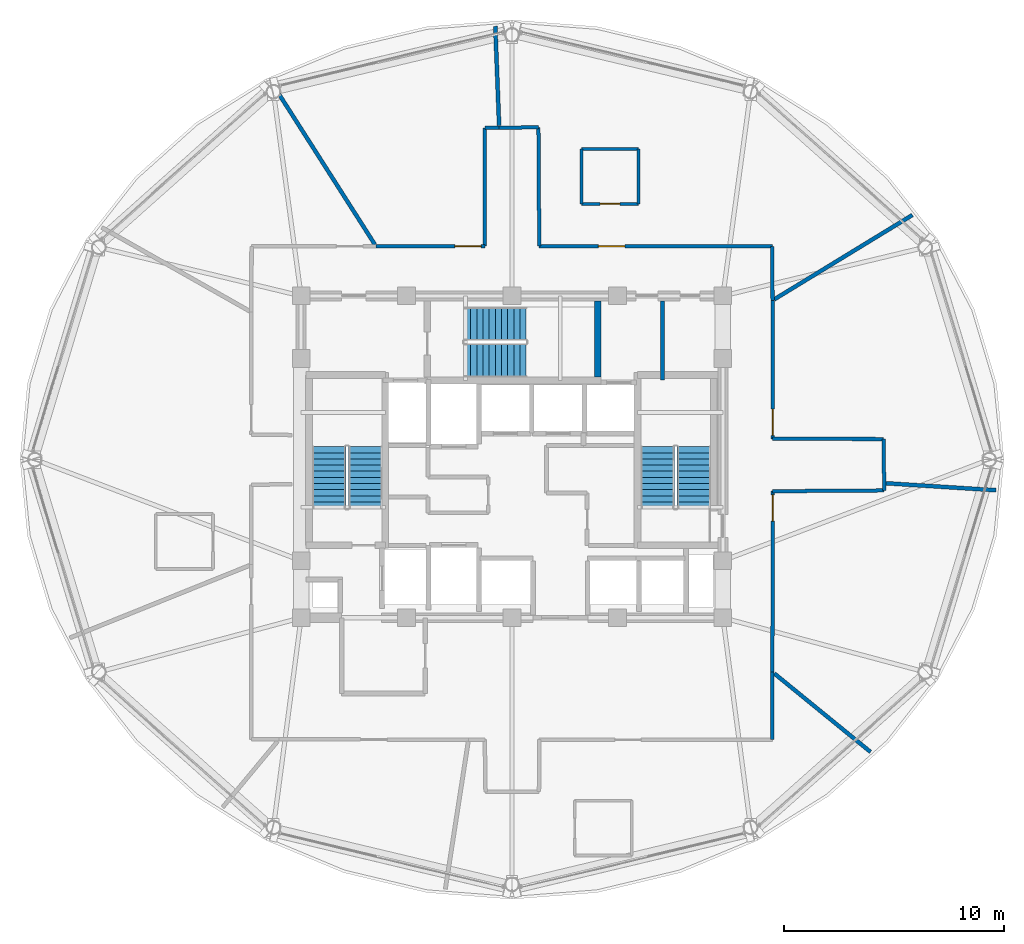
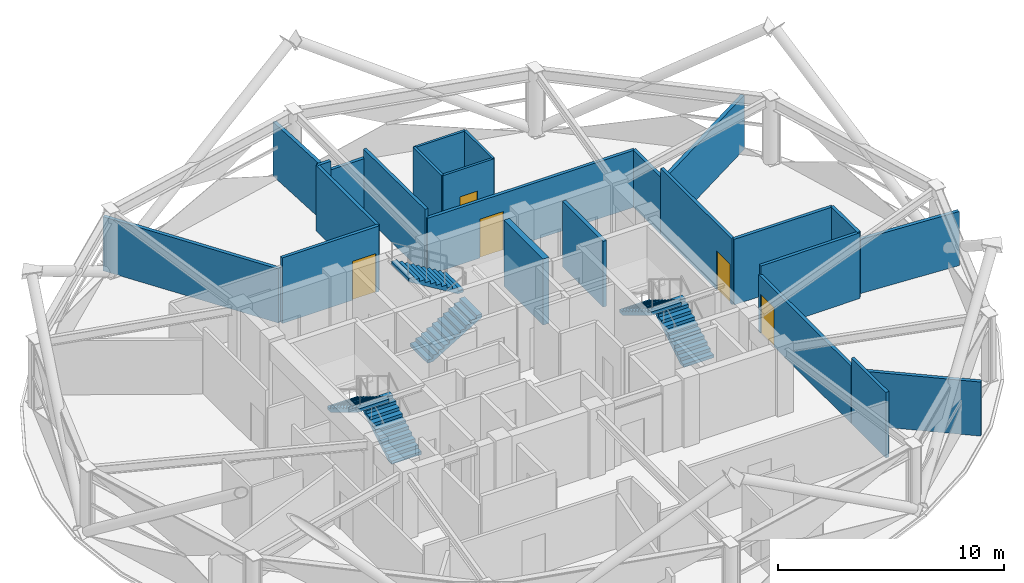
# One storey, part 24 of 28: 24 walls, 6 stair flights, 5 doors, 5 openings, 3 elements without a shape of their own.
"""IFC4 building model written with IfcOpenShell, lengths in metres."""

from ifc_helpers import new_model, si_unit, direction, frame, frame_2d, origin, place, context, subcontext, project, spatial, polyline, rectangle, outline, extrude, material, layer, layer_set, type_object, element, fill, aggregate, save


model = new_model("IFC4")

# Units and contexts
model_context = context("Model", 3, precision=1e-05, world=origin(), true_north=direction((0.0, 1.0)))
body_context = subcontext(model_context, "Body", "Model", "MODEL_VIEW")
ifc_project = project(units=[si_unit("LENGTHUNIT", "METRE"), si_unit("AREAUNIT", "SQUARE_METRE"), si_unit("VOLUMEUNIT", "CUBIC_METRE"), si_unit("PLANEANGLEUNIT", "RADIAN"), si_unit("MASSUNIT", "GRAM", prefix="KILO")], contexts=[model_context])

# Site, building, storey
site_placement = place(None, origin())
site = spatial("IfcSite", under=ifc_project, at=site_placement, CompositionType="ELEMENT")
building_placement = place(site_placement, origin())
building = spatial("IfcBuilding", under=site, at=building_placement, Name="Vantalir Tower", CompositionType="ELEMENT")
storey_placement = place(building_placement, frame((0.0, 0.0, 242.39990234375)))
storey = spatial("IfcBuildingStorey", under=building, at=storey_placement, Name="L61", CompositionType="ELEMENT", Elevation=242.39990234375)

# Wall, opening, door
ifc_material_1 = material(Name="Moisture-resistant en-suite partition", Category="gypsum")
ifc_layer_1 = layer(ifc_material_1, 0.125)
ifc_layer_set_1 = layer_set([ifc_layer_1], Name="Moisture-resistant en-suite partition")
wall_type_1 = type_object("IfcWallType", Name="WL-BATH-125", PredefinedType="PARTITIONING", material=ifc_layer_set_1)
wall_1_placement = place(storey_placement, frame((34.6630859375, 36.635986328125, 0.0), z_axis=(0.0, 0.0, 1.0), x_axis=(1.0, 0.0, 0.0)))
wall_1 = element("IfcWall", 1, at=wall_1_placement, inside=storey, type_object=wall_type_1, Name="L61 En-suite 01 South Wall", PredefinedType="PARTITIONING", context=body_context, shape_type="SweptSolid", body=[
    extrude(rectangle(XDim=2.599853515625, YDim=0.125, at=frame_2d((1.2998046875, 0.0))), origin(), (0.0, 0.0, 1.0), 3.550048828125),
])
opening_1_placement = place(wall_1_placement, frame((0.85009765625, 0.0, 0.0)))
opening_1 = element("IfcOpeningElement", 2, at=opening_1_placement, cuts=wall_1, Name="Opening D-WC", PredefinedType="OPENING", context=body_context, shape_type="SweptSolid", body=[
    extrude(rectangle(XDim=0.89990234375, YDim=2.10009765625, at=frame_2d((0.449951171875, 1.050048828125))), frame((0.0, 0.072509765625, 0.0), z_axis=(0.0, -1.0, 0.0), x_axis=(1.0, 0.0, 0.0)), (0.0, 0.0, 1.0), 0.14501953125),
])
ifc_material_2 = material(Name="Moisture-resistant hardwood door", Category="wood")
door_type_1 = type_object("IfcDoorType", Name="DR-ENSUITE-900", OperationType="NOTDEFINED", PredefinedType="DOOR", material=ifc_material_2)
door_1_placement = place(opening_1_placement, origin())
door_1 = element("IfcDoor", 3, at=door_1_placement, inside=storey, type_object=door_type_1, Name="L61 En-suite 01 Door", OperationType="SINGLE_SWING_LEFT", OverallHeight=2.10009765625, OverallWidth=0.89990234375, PredefinedType="DOOR", context=body_context, shape_type="SweptSolid", body=[
    extrude(rectangle(XDim=0.89990234375, YDim=2.10009765625, at=frame_2d((0.449951171875, 1.050048828125))), frame((0.0, 0.02490234375, 0.0), z_axis=(0.0, -1.0, 0.0), x_axis=(1.0, 0.0, 0.0)), (0.0, 0.0, 1.0), 0.050048828125),
])
fill(opening_1, door_1)

# Walls
wall_2_placement = place(storey_placement, frame((34.6630859375, 39.135986328125, 0.0), z_axis=(0.0, 0.0, 1.0), x_axis=(1.0, 0.0, 0.0)))
element("IfcWall", 4, at=wall_2_placement, inside=storey, type_object=wall_type_1, Name="L61 En-suite 01 North Wall", PredefinedType="PARTITIONING", context=body_context, shape_type="SweptSolid", body=[
    extrude(rectangle(XDim=2.599853515625, YDim=0.125, at=frame_2d((1.2998046875, 0.0))), origin(), (0.0, 0.0, 1.0), 3.550048828125),
])
for number, where, z_axis, x_axis, name in (
    (5, (34.6630859375, 36.635986328125, 0.0), (0.0, 0.0, 1.0), (0.0, 1.0, 0.0), "L61 En-suite 01 West Wall"),
    (6, (37.262939453125, 36.635986328125, 0.0), (0.0, 0.0, 1.0), (0.0, 1.0, 0.0), "L61 En-suite 01 East Wall"),
):
    element("IfcWall", number, at=place(storey_placement, frame(where, z_axis=z_axis, x_axis=x_axis)), inside=storey, type_object=wall_type_1, Name=name, PredefinedType="PARTITIONING", context=body_context, shape_type="SweptSolid", body=[
        extrude(rectangle(XDim=2.5, YDim=0.125, at=frame_2d((1.25, 0.0))), origin(), (0.0, 0.0, 1.0), 3.550048828125),
    ])

# Wall, opening, door
ifc_material_3 = material(Name="Fire-rated hotel corridor acoustic partition", Category="gypsum")
ifc_layer_2 = layer(ifc_material_3, 0.159912109375)
ifc_layer_set_2 = layer_set([ifc_layer_2], Name="Fire-rated hotel corridor acoustic partition")
wall_type_2 = type_object("IfcWallType", Name="WL-CORR-160", PredefinedType="PARTITIONING", material=ifc_layer_set_2)
wall_3_placement = place(storey_placement, frame((25.31103515625, 34.7080078125, 0.0), z_axis=(0.0, 0.0, 1.0), x_axis=(0.999998976672, 0.001430613701, 0.0)))
wall_3 = element("IfcWall", 7, at=wall_3_placement, inside=storey, type_object=wall_type_2, Name="L61 Corridor Partition 05", PredefinedType="PARTITIONING", context=body_context, shape_type="SweptSolid", body=[
    extrude(rectangle(XDim=4.948974609375, YDim=0.159912109375, at=frame_2d((2.474609375, 0.0))), origin(), (0.0, 0.0, 1.0), 3.550048828125),
])
opening_2_placement = place(wall_3_placement, frame((3.589111328125, 0.0, 0.0)))
opening_2 = element("IfcOpeningElement", 8, at=opening_2_placement, cuts=wall_3, Name="Opening D-STE", PredefinedType="OPENING", context=body_context, shape_type="SweptSolid", body=[
    extrude(rectangle(XDim=1.199951171875, YDim=2.10009765625, at=frame_2d((0.60009765625, 1.050048828125))), frame((0.0, 0.08984375, 0.0), z_axis=(0.0, -1.0, 0.0), x_axis=(1.0, 0.0, 0.0)), (0.0, 0.0, 1.0), 0.179931640625),
])
ifc_material_4 = material(Name="Solid-core teak veneer suite entrance door", Category="wood")
door_type_2 = type_object("IfcDoorType", Name="DR-SUITE-ENTRY-1200", OperationType="NOTDEFINED", PredefinedType="DOOR", material=ifc_material_4)
door_2_placement = place(opening_2_placement, origin())
door_2 = element("IfcDoor", 9, at=door_2_placement, inside=storey, type_object=door_type_2, Name="L61 Club Reading Lounge 02 Door", OperationType="SINGLE_SWING_RIGHT", OverallHeight=2.10009765625, OverallWidth=1.199951171875, PredefinedType="DOOR", context=body_context, shape_type="SweptSolid", body=[
    extrude(rectangle(XDim=1.199951171875, YDim=2.10009765625, at=frame_2d((0.60009765625, 1.050048828125))), frame((0.0, 0.02490234375, 0.0), z_axis=(0.0, -1.0, 0.0), x_axis=(1.0, 0.0, 0.0)), (0.0, 0.0, 1.0), 0.050048828125),
])
fill(opening_2, door_2)

# Walls
wall_4_placement = place(storey_placement, frame((30.260009765625, 34.715087890625, 0.0), z_axis=(0.0, 0.0, 1.0), x_axis=(0.000544266973, 0.999999851887, 0.0)))
element("IfcWall", 10, at=wall_4_placement, inside=storey, type_object=wall_type_2, Name="L61 Corridor Partition 06", PredefinedType="PARTITIONING", context=body_context, shape_type="SweptSolid", body=[
    extrude(rectangle(XDim=5.3828125, YDim=0.159912109375, at=frame_2d((2.69140625, 0.0))), origin(), (0.0, 0.0, 1.0), 3.550048828125),
])
wall_5_placement = place(storey_placement, frame((30.262939453125, 40.097900390625, 0.0), z_axis=(0.0, 0.0, 1.0), x_axis=(0.999941415543, 0.010824300504, 0.0)))
element("IfcWall", 11, at=wall_5_placement, inside=storey, type_object=wall_type_2, Name="L61 Corridor Partition 07", PredefinedType="PARTITIONING", context=body_context, shape_type="SweptSolid", body=[
    extrude(rectangle(XDim=0.654052734375, YDim=0.159912109375, at=frame_2d((0.3271484375, 0.0))), origin(), (0.0, 0.0, 1.0), 3.550048828125),
])
wall_6_placement = place(storey_placement, frame((30.9169921875, 40.10498046875, 0.0), z_axis=(0.0, 0.0, 1.0), x_axis=(0.999948905048, 0.010108773084, 0.0)))
element("IfcWall", 12, at=wall_6_placement, inside=storey, type_object=wall_type_2, Name="L61 Corridor Partition 08", PredefinedType="PARTITIONING", context=body_context, shape_type="SweptSolid", body=[
    extrude(rectangle(XDim=1.787109375, YDim=0.159912109375, at=frame_2d((0.8935546875, 0.0))), origin(), (0.0, 0.0, 1.0), 3.0810546875),
])
wall_7_placement = place(storey_placement, frame((32.7041015625, 40.123046875, 0.0), z_axis=(0.0, 0.0, 1.0), x_axis=(0.006636123117, -0.999977980693, 0.0)))
element("IfcWall", 13, at=wall_7_placement, inside=storey, type_object=wall_type_2, Name="L61 Corridor Partition 09", PredefinedType="PARTITIONING", context=body_context, shape_type="SweptSolid", body=[
    extrude(rectangle(XDim=5.407958984375, YDim=0.159912109375, at=frame_2d((2.7041015625, 0.0))), origin(), (0.0, 0.0, 1.0), 3.550048828125),
])

# Wall, opening, door
wall_8_placement = place(storey_placement, frame((32.739990234375, 34.715087890625, 0.0), z_axis=(0.0, 0.0, 1.0), x_axis=(0.99999933853, -0.001150191321, 0.0)))
wall_8 = element("IfcWall", 14, at=wall_8_placement, inside=storey, type_object=wall_type_2, Name="L61 Corridor Partition 10", PredefinedType="PARTITIONING", context=body_context, shape_type="SweptSolid", body=[
    extrude(rectangle(XDim=10.613037109375, YDim=0.159912109375, at=frame_2d((5.306640625, 0.0))), origin(), (0.0, 0.0, 1.0), 3.0810546875),
])
opening_3_placement = place(wall_8_placement, frame((2.694091796875, 0.0, 0.0)))
opening_3 = element("IfcOpeningElement", 15, at=opening_3_placement, cuts=wall_8, Name="Opening D-STE", PredefinedType="OPENING", context=body_context, shape_type="SweptSolid", body=[
    extrude(rectangle(XDim=1.199951171875, YDim=2.10009765625, at=frame_2d((0.60009765625, 1.050048828125))), frame((0.0, 0.08984375, 0.0), z_axis=(0.0, -1.0, 0.0), x_axis=(1.0, 0.0, 0.0)), (0.0, 0.0, 1.0), 0.179931640625),
])
door_3_placement = place(opening_3_placement, origin())
door_3 = element("IfcDoor", 16, at=door_3_placement, inside=storey, type_object=door_type_2, Name="L61 Royal Ambassador Hotel Suite 01 Door", OperationType="SINGLE_SWING_LEFT", OverallHeight=2.10009765625, OverallWidth=1.199951171875, PredefinedType="DOOR", context=body_context, shape_type="SweptSolid", body=[
    extrude(rectangle(XDim=1.199951171875, YDim=2.10009765625, at=frame_2d((0.60009765625, 1.050048828125))), frame((0.0, 0.02490234375, 0.0), z_axis=(0.0, -1.0, 0.0), x_axis=(1.0, 0.0, 0.0)), (0.0, 0.0, 1.0), 0.050048828125),
])
fill(opening_3, door_3)

# Wall
wall_9_placement = place(storey_placement, frame((43.35302734375, 34.702880859375, 0.0), z_axis=(0.0, 0.0, 1.0), x_axis=(0.001587929717, -0.999998739239, 0.0)))
element("IfcWall", 17, at=wall_9_placement, inside=storey, type_object=wall_type_2, Name="L61 Corridor Partition 11", PredefinedType="PARTITIONING", context=body_context, shape_type="SweptSolid", body=[
    extrude(rectangle(XDim=2.4599609375, YDim=0.159912109375, at=frame_2d((1.22998046875, 0.0))), origin(), (0.0, 0.0, 1.0), 3.0810546875),
])

# Wall, opening, door
wall_10_placement = place(storey_placement, frame((43.35693359375, 32.242919921875, 0.0), z_axis=(0.0, 0.0, 1.0), x_axis=(0.00127822648, -0.999999183068, 0.0)))
wall_10 = element("IfcWall", 18, at=wall_10_placement, inside=storey, type_object=wall_type_2, Name="L61 Corridor Partition 12", PredefinedType="PARTITIONING", context=body_context, shape_type="SweptSolid", body=[
    extrude(rectangle(XDim=6.302978515625, YDim=0.159912109375, at=frame_2d((3.1513671875, 0.0))), origin(), (0.0, 0.0, 1.0), 3.550048828125),
])
opening_4_placement = place(wall_10_placement, frame((4.943115234375, 0.0, 0.0)))
opening_4 = element("IfcOpeningElement", 19, at=opening_4_placement, cuts=wall_10, Name="Opening D-STE", PredefinedType="OPENING", context=body_context, shape_type="SweptSolid", body=[
    extrude(rectangle(XDim=1.199951171875, YDim=2.10009765625, at=frame_2d((0.60009765625, 1.050048828125))), frame((0.0, 0.08984375, 0.0), z_axis=(0.0, -1.0, 0.0), x_axis=(1.0, 0.0, 0.0)), (0.0, 0.0, 1.0), 0.179931640625),
])
door_4_placement = place(opening_4_placement, origin())
door_4 = element("IfcDoor", 20, at=door_4_placement, inside=storey, type_object=door_type_2, Name="L61 Executive Sky Boardroom 09 Door", OperationType="SINGLE_SWING_LEFT", OverallHeight=2.10009765625, OverallWidth=1.199951171875, PredefinedType="DOOR", context=body_context, shape_type="SweptSolid", body=[
    extrude(rectangle(XDim=1.199951171875, YDim=2.10009765625, at=frame_2d((0.60009765625, 1.050048828125))), frame((0.0, 0.02490234375, 0.0), z_axis=(0.0, -1.0, 0.0), x_axis=(1.0, 0.0, 0.0)), (0.0, 0.0, 1.0), 0.050048828125),
])
fill(opening_4, door_4)

# Walls
wall_11_placement = place(storey_placement, frame((43.364990234375, 25.93994140625, 0.0), z_axis=(0.0, 0.0, 1.0), x_axis=(0.999999831724, -0.000580130432, 0.0)))
element("IfcWall", 21, at=wall_11_placement, inside=storey, type_object=wall_type_2, Name="L61 Corridor Partition 13", PredefinedType="PARTITIONING", context=body_context, shape_type="SweptSolid", body=[
    extrude(rectangle(XDim=5.050048828125, YDim=0.159912109375, at=frame_2d((2.52490234375, 0.0))), origin(), (0.0, 0.0, 1.0), 3.550048828125),
])
wall_12_placement = place(storey_placement, frame((48.4150390625, 25.93701171875, 0.0), z_axis=(0.0, 0.0, 1.0), x_axis=(0.010636586698, -0.999943429912, 0.0)))
element("IfcWall", 22, at=wall_12_placement, inside=storey, type_object=wall_type_2, Name="L61 Corridor Partition 14", PredefinedType="PARTITIONING", context=body_context, shape_type="SweptSolid", body=[
    extrude(rectangle(XDim=2.34130859375, YDim=0.159912109375, at=frame_2d((1.170654296875, 0.0))), origin(), (0.0, 0.0, 1.0), 3.550048828125),
])
wall_13_placement = place(storey_placement, frame((48.43994140625, 23.595947265625, 0.0), z_axis=(0.0, 0.0, 1.0), x_axis=(-0.999974996273, -0.007071550702, 0.0)))
element("IfcWall", 23, at=wall_13_placement, inside=storey, type_object=wall_type_2, Name="L61 Corridor Partition 15", PredefinedType="PARTITIONING", context=body_context, shape_type="SweptSolid", body=[
    extrude(rectangle(XDim=5.0751953125, YDim=0.159912109375, at=frame_2d((2.53759765625, 0.0))), origin(), (0.0, 0.0, 1.0), 3.550048828125),
])

# Wall, opening, door
wall_14_placement = place(storey_placement, frame((43.364990234375, 23.56005859375, 0.0), z_axis=(0.0, 0.0, 1.0), x_axis=(-0.001335548165, -0.999999108155, 0.0)))
wall_14 = element("IfcWall", 24, at=wall_14_placement, inside=storey, type_object=wall_type_2, Name="L61 Corridor Partition 16", PredefinedType="PARTITIONING", context=body_context, shape_type="SweptSolid", body=[
    extrude(rectangle(XDim=8.22607421875, YDim=0.159912109375, at=frame_2d((4.113037109375, 0.0))), origin(), (0.0, 0.0, 1.0), 3.0810546875),
])
opening_5_placement = place(wall_14_placement, frame((0.159912109375, 0.0, 0.0)))
opening_5 = element("IfcOpeningElement", 25, at=opening_5_placement, cuts=wall_14, Name="Opening D-STE", PredefinedType="OPENING", context=body_context, shape_type="SweptSolid", body=[
    extrude(rectangle(XDim=1.199951171875, YDim=2.10009765625, at=frame_2d((0.60009765625, 1.050048828125))), frame((0.0, 0.08984375, 0.0), z_axis=(0.0, -1.0, 0.0), x_axis=(1.0, 0.0, 0.0)), (0.0, 0.0, 1.0), 0.179931640625),
])
door_5_placement = place(opening_5_placement, origin())
door_5 = element("IfcDoor", 26, at=door_5_placement, inside=storey, type_object=door_type_2, Name="L61 Executive Sky Boardroom 08 Door", OperationType="SINGLE_SWING_RIGHT", OverallHeight=2.10009765625, OverallWidth=1.199951171875, PredefinedType="DOOR", context=body_context, shape_type="SweptSolid", body=[
    extrude(rectangle(XDim=1.199951171875, YDim=2.10009765625, at=frame_2d((0.60009765625, 1.050048828125))), frame((0.0, 0.02490234375, 0.0), z_axis=(0.0, -1.0, 0.0), x_axis=(1.0, 0.0, 0.0)), (0.0, 0.0, 1.0), 0.050048828125),
])
fill(opening_5, door_5)

# Walls
wall_15_placement = place(storey_placement, frame((43.35400390625, 15.333984375, 0.0), z_axis=(0.0, 0.0, 1.0), x_axis=(-0.00127034435, -0.999999193112, 0.0)))
element("IfcWall", 27, at=wall_15_placement, inside=storey, type_object=wall_type_2, Name="L61 Corridor Partition 17", PredefinedType="PARTITIONING", context=body_context, shape_type="SweptSolid", body=[
    extrude(rectangle(XDim=3.074951171875, YDim=0.159912109375, at=frame_2d((1.53759765625, 0.0))), origin(), (0.0, 0.0, 1.0), 3.550048828125),
])
ifc_material_5 = material(Name="Twin-stud acoustic fire-rated gypsum partition", Category="gypsum")
ifc_layer_3 = layer(ifc_material_5, 0.179931640625)
ifc_layer_set_3 = layer_set([ifc_layer_3], Name="Twin-stud acoustic fire-rated gypsum partition")
wall_type_3 = type_object("IfcWallType", Name="WL-GUEST-180", PredefinedType="PARTITIONING", material=ifc_layer_set_3)
wall_16_placement = place(storey_placement, frame((38.340087890625, 28.6201171875, 0.0), z_axis=(0.0, 0.0, 1.0), x_axis=(0.0, 1.0, 0.0)))
element("IfcWall", 28, at=wall_16_placement, inside=storey, type_object=wall_type_3, Name="L61 High-Rise Lift Lobby East Wall", PredefinedType="PARTITIONING", context=body_context, shape_type="SweptSolid", body=[
    extrude(rectangle(XDim=3.60498046875, YDim=0.179931640625, at=frame_2d((1.802490234375, 0.0))), origin(), (0.0, 0.0, 1.0), 3.550048828125),
])
wall_17_placement = place(storey_placement, frame((43.43994140625, 32.2939453125, 0.0), z_axis=(0.0, 0.0, 1.0), x_axis=(0.853414575763, 0.521232732928, 0.0)))
element("IfcWall", 29, at=wall_17_placement, inside=storey, type_object=wall_type_3, Name="L61 Radial Suite Partition 01", PredefinedType="PARTITIONING", context=body_context, shape_type="SweptSolid", body=[
    extrude(rectangle(XDim=7.363525390625, YDim=0.179931640625, at=frame_2d((3.681640625, 0.0))), origin(), (0.0, 0.0, 1.0), 2.925048828125),
])
wall_18_placement = place(storey_placement, frame((30.9140625, 40.197998046875, 0.0), z_axis=(0.0, 0.0, 1.0), x_axis=(-0.038656743146, 0.999252548763, 0.0)))
element("IfcWall", 30, at=wall_18_placement, inside=storey, type_object=wall_type_3, Name="L61 Radial Suite Partition 02", PredefinedType="PARTITIONING", context=body_context, shape_type="SweptSolid", body=[
    extrude(rectangle(XDim=4.5283203125, YDim=0.179931640625, at=frame_2d((2.26416015625, 0.0))), origin(), (0.0, 0.0, 1.0), 2.925048828125),
])
wall_19_placement = place(storey_placement, frame((25.259033203125, 34.7900390625, 0.0), z_axis=(0.0, 0.0, 1.0), x_axis=(-0.537619190812, 0.843187764185, 0.0)))
element("IfcWall", 31, at=wall_19_placement, inside=storey, type_object=wall_type_3, Name="L61 Radial Suite Partition 03", PredefinedType="PARTITIONING", context=body_context, shape_type="SweptSolid", body=[
    extrude(rectangle(XDim=8.770263671875, YDim=0.179931640625, at=frame_2d((4.38525390625, 0.0))), origin(), (0.0, 0.0, 1.0), 2.925048828125),
])
wall_20_placement = place(storey_placement, frame((43.43994140625, 15.263916015625, 0.0), z_axis=(0.0, 0.0, 1.0), x_axis=(0.77500924649, -0.631949893469, 0.0)))
element("IfcWall", 32, at=wall_20_placement, inside=storey, type_object=wall_type_3, Name="L61 Radial Suite Partition 08", PredefinedType="PARTITIONING", context=body_context, shape_type="SweptSolid", body=[
    extrude(rectangle(XDim=5.650390625, YDim=0.179931640625, at=frame_2d((2.8251953125, 0.0))), origin(), (0.0, 0.0, 1.0), 2.925048828125),
])
wall_21_placement = place(storey_placement, frame((48.514892578125, 23.923095703125, 0.0), z_axis=(0.0, 0.0, 1.0), x_axis=(0.997995081833, -0.063291521057, 0.0)))
element("IfcWall", 33, at=wall_21_placement, inside=storey, type_object=wall_type_3, Name="L61 Radial Suite Partition 09", PredefinedType="PARTITIONING", context=body_context, shape_type="SweptSolid", body=[
    extrude(rectangle(XDim=5.026123046875, YDim=0.179931640625, at=frame_2d((2.51318359375, 0.0))), origin(), (0.0, 0.0, 1.0), 2.925048828125),
])
ifc_material_6 = material(Name="Concrete C50/60", Category="concrete")
ifc_layer_4 = layer(ifc_material_6, 0.300048828125)
ifc_layer_set_4 = layer_set([ifc_layer_4], Name="Concrete C50/60")
wall_type_4 = type_object("IfcWallType", Name="WL-STAIR-300", PredefinedType="SHEAR", material=ifc_layer_set_4)
wall_22_placement = place(storey_placement, frame((35.39990234375, 28.75, 0.0), z_axis=(0.0, 0.0, 1.0), x_axis=(0.0, 1.0, 0.0)))
element("IfcWall", 34, at=wall_22_placement, inside=storey, type_object=wall_type_4, Name="L61 Stair ST3 East Wall", PredefinedType="SHEAR", context=body_context, shape_type="SweptSolid", body=[
    extrude(rectangle(XDim=3.47509765625, YDim=0.300048828125, at=frame_2d((1.737548828125, 0.0))), origin(), (0.0, 0.0, 1.0), 3.570068359375),
])

# Stair, stair flights
ifc_material_7 = material(Name="Concrete C40/50", Category="concrete")
stair_type = type_object("IfcStairType", Name="STR-CORE-1450", PredefinedType="HALF_TURN_STAIR", material=ifc_material_7)
stair_1_placement = place(storey_placement, origin())
stair_1 = element("IfcStair", 35, at=stair_1_placement, inside=storey, type_object=stair_type, Name="L61 Core Exit Stair 1", PredefinedType="HALF_TURN_STAIR")
stair_flight_type = type_object("IfcStairFlightType", Name="FLT-CORE-1450", PredefinedType="STRAIGHT", material=ifc_material_7)
stair_flight_1_placement = place(storey_placement, frame((24.830078125, 22.7900390625, 0.0), z_axis=(0.0, 0.0, 1.0), x_axis=(0.0, 1.0, 0.0)))
stair_flight_1 = element("IfcStairFlight", 36, at=stair_flight_1_placement, type_object=stair_flight_type, Name="ST1 flight 1", NumberOfRisers=11, NumberOfTreads=10, PredefinedType="STRAIGHT", RiserHeight=0.170454545, TreadLength=0.28, context=body_context, shape_type="SweptSolid", body=[
    extrude(outline(polyline([(0.0, 0.0), (0.0, 0.17041015625), (0.280029296875, 0.17041015625), (0.280029296875, 0.3408203125), (0.56005859375, 0.3408203125), (0.56005859375, 0.511474609375), (0.840087890625, 0.511474609375), (0.840087890625, 0.681884765625), (1.1201171875, 0.681884765625), (1.1201171875, 0.852294921875), (1.39990234375, 0.852294921875), (1.39990234375, 1.022705078125), (1.679931640625, 1.022705078125), (1.679931640625, 1.193115234375), (1.9599609375, 1.193115234375), (1.9599609375, 1.363525390625), (2.239990234375, 1.363525390625), (2.239990234375, 1.5341796875), (2.52001953125, 1.5341796875), (2.52001953125, 1.70458984375), (2.800048828125, 1.70458984375), (2.800048828125, 1.875), (2.800048828125, 1.529052734375), (0.288330078125, 0.0), (0.0, 0.0)])), frame((0.0, 0.77001953125, 0.0), z_axis=(0.0, -1.0, 0.0), x_axis=(1.0, 0.0, 0.0)), (0.0, 0.0, 1.0), 1.5400390625),
])
stair_flight_2_placement = place(storey_placement, frame((23.169921875, 25.590087890625, 1.875), z_axis=(0.0, 0.0, 1.0), x_axis=(0.0, -1.0, 0.0)))
stair_flight_2 = element("IfcStairFlight", 37, at=stair_flight_2_placement, type_object=stair_flight_type, Name="ST1 flight 2", NumberOfRisers=11, NumberOfTreads=10, PredefinedType="STRAIGHT", RiserHeight=0.170454545, TreadLength=0.28, context=body_context, shape_type="SweptSolid", body=[
    extrude(outline(polyline([(0.0, 0.0), (0.0, 0.17041015625), (0.280029296875, 0.17041015625), (0.280029296875, 0.3408203125), (0.56005859375, 0.3408203125), (0.56005859375, 0.511474609375), (0.840087890625, 0.511474609375), (0.840087890625, 0.681884765625), (1.1201171875, 0.681884765625), (1.1201171875, 0.852294921875), (1.39990234375, 0.852294921875), (1.39990234375, 1.022705078125), (1.679931640625, 1.022705078125), (1.679931640625, 1.193115234375), (1.9599609375, 1.193115234375), (1.9599609375, 1.363525390625), (2.239990234375, 1.363525390625), (2.239990234375, 1.5341796875), (2.52001953125, 1.5341796875), (2.52001953125, 1.70458984375), (2.800048828125, 1.70458984375), (2.800048828125, 1.875), (2.800048828125, 1.529052734375), (0.288330078125, 0.0), (0.0, 0.0)])), frame((0.0, 0.77001953125, 0.0), z_axis=(0.0, -1.0, 0.0), x_axis=(1.0, 0.0, 0.0)), (0.0, 0.0, 1.0), 1.5400390625),
])
aggregate(stair_1, [stair_flight_1, stair_flight_2])

stair_2_placement = place(storey_placement, origin())
stair_2 = element("IfcStair", 38, at=stair_2_placement, inside=storey, type_object=stair_type, Name="L61 Core Exit Stair 2", PredefinedType="HALF_TURN_STAIR")
stair_flight_3_placement = place(storey_placement, frame((39.780029296875, 22.7900390625, 0.0), z_axis=(0.0, 0.0, 1.0), x_axis=(0.0, 1.0, 0.0)))
stair_flight_3 = element("IfcStairFlight", 39, at=stair_flight_3_placement, type_object=stair_flight_type, Name="ST2 flight 1", NumberOfRisers=11, NumberOfTreads=10, PredefinedType="STRAIGHT", RiserHeight=0.170454545, TreadLength=0.28, context=body_context, shape_type="SweptSolid", body=[
    extrude(outline(polyline([(0.0, 0.0), (0.0, 0.17041015625), (0.280029296875, 0.17041015625), (0.280029296875, 0.3408203125), (0.56005859375, 0.3408203125), (0.56005859375, 0.511474609375), (0.840087890625, 0.511474609375), (0.840087890625, 0.681884765625), (1.1201171875, 0.681884765625), (1.1201171875, 0.852294921875), (1.39990234375, 0.852294921875), (1.39990234375, 1.022705078125), (1.679931640625, 1.022705078125), (1.679931640625, 1.193115234375), (1.9599609375, 1.193115234375), (1.9599609375, 1.363525390625), (2.239990234375, 1.363525390625), (2.239990234375, 1.5341796875), (2.52001953125, 1.5341796875), (2.52001953125, 1.70458984375), (2.800048828125, 1.70458984375), (2.800048828125, 1.875), (2.800048828125, 1.529052734375), (0.288330078125, 0.0), (0.0, 0.0)])), frame((0.0, 0.77001953125, 0.0), z_axis=(0.0, -1.0, 0.0), x_axis=(1.0, 0.0, 0.0)), (0.0, 0.0, 1.0), 1.5400390625),
])
stair_flight_4_placement = place(storey_placement, frame((38.1201171875, 25.590087890625, 1.875), z_axis=(0.0, 0.0, 1.0), x_axis=(0.0, -1.0, 0.0)))
stair_flight_4 = element("IfcStairFlight", 40, at=stair_flight_4_placement, type_object=stair_flight_type, Name="ST2 flight 2", NumberOfRisers=11, NumberOfTreads=10, PredefinedType="STRAIGHT", RiserHeight=0.170454545, TreadLength=0.28, context=body_context, shape_type="SweptSolid", body=[
    extrude(outline(polyline([(0.0, 0.0), (0.0, 0.17041015625), (0.280029296875, 0.17041015625), (0.280029296875, 0.3408203125), (0.56005859375, 0.3408203125), (0.56005859375, 0.511474609375), (0.840087890625, 0.511474609375), (0.840087890625, 0.681884765625), (1.1201171875, 0.681884765625), (1.1201171875, 0.852294921875), (1.39990234375, 0.852294921875), (1.39990234375, 1.022705078125), (1.679931640625, 1.022705078125), (1.679931640625, 1.193115234375), (1.9599609375, 1.193115234375), (1.9599609375, 1.363525390625), (2.239990234375, 1.363525390625), (2.239990234375, 1.5341796875), (2.52001953125, 1.5341796875), (2.52001953125, 1.70458984375), (2.800048828125, 1.70458984375), (2.800048828125, 1.875), (2.800048828125, 1.529052734375), (0.288330078125, 0.0), (0.0, 0.0)])), frame((0.0, 0.77001953125, 0.0), z_axis=(0.0, -1.0, 0.0), x_axis=(1.0, 0.0, 0.0)), (0.0, 0.0, 1.0), 1.5400390625),
])
aggregate(stair_2, [stair_flight_3, stair_flight_4])

stair_3_placement = place(storey_placement, origin())
stair_3 = element("IfcStair", 41, at=stair_3_placement, inside=storey, type_object=stair_type, Name="L61 Core Exit Stair 3", PredefinedType="HALF_TURN_STAIR")
stair_flight_5_placement = place(storey_placement, frame((29.340087890625, 29.52001953125, 0.0), z_axis=(0.0, 0.0, 1.0), x_axis=(1.0, 0.0, 0.0)))
stair_flight_5 = element("IfcStairFlight", 42, at=stair_flight_5_placement, type_object=stair_flight_type, Name="ST3 flight 1", NumberOfRisers=11, NumberOfTreads=10, PredefinedType="STRAIGHT", RiserHeight=0.170454545, TreadLength=0.28, context=body_context, shape_type="SweptSolid", body=[
    extrude(outline(polyline([(0.0, 0.0), (0.0, 0.17041015625), (0.280029296875, 0.17041015625), (0.280029296875, 0.3408203125), (0.56005859375, 0.3408203125), (0.56005859375, 0.511474609375), (0.840087890625, 0.511474609375), (0.840087890625, 0.681884765625), (1.1201171875, 0.681884765625), (1.1201171875, 0.852294921875), (1.39990234375, 0.852294921875), (1.39990234375, 1.022705078125), (1.679931640625, 1.022705078125), (1.679931640625, 1.193115234375), (1.9599609375, 1.193115234375), (1.9599609375, 1.363525390625), (2.239990234375, 1.363525390625), (2.239990234375, 1.5341796875), (2.52001953125, 1.5341796875), (2.52001953125, 1.70458984375), (2.800048828125, 1.70458984375), (2.800048828125, 1.875), (2.800048828125, 1.529052734375), (0.288330078125, 0.0), (0.0, 0.0)])), frame((0.0, 0.77001953125, 0.0), z_axis=(0.0, -1.0, 0.0), x_axis=(1.0, 0.0, 0.0)), (0.0, 0.0, 1.0), 1.5400390625),
])
stair_flight_6_placement = place(storey_placement, frame((32.139892578125, 31.179931640625, 1.875), z_axis=(0.0, 0.0, 1.0), x_axis=(-1.0, 0.0, 0.0)))
stair_flight_6 = element("IfcStairFlight", 43, at=stair_flight_6_placement, type_object=stair_flight_type, Name="ST3 flight 2", NumberOfRisers=11, NumberOfTreads=10, PredefinedType="STRAIGHT", RiserHeight=0.170454545, TreadLength=0.28, context=body_context, shape_type="SweptSolid", body=[
    extrude(outline(polyline([(0.0, 0.0), (0.0, 0.17041015625), (0.280029296875, 0.17041015625), (0.280029296875, 0.3408203125), (0.56005859375, 0.3408203125), (0.56005859375, 0.511474609375), (0.840087890625, 0.511474609375), (0.840087890625, 0.681884765625), (1.1201171875, 0.681884765625), (1.1201171875, 0.852294921875), (1.39990234375, 0.852294921875), (1.39990234375, 1.022705078125), (1.679931640625, 1.022705078125), (1.679931640625, 1.193115234375), (1.9599609375, 1.193115234375), (1.9599609375, 1.363525390625), (2.239990234375, 1.363525390625), (2.239990234375, 1.5341796875), (2.52001953125, 1.5341796875), (2.52001953125, 1.70458984375), (2.800048828125, 1.70458984375), (2.800048828125, 1.875), (2.800048828125, 1.529052734375), (0.288330078125, 0.0), (0.0, 0.0)])), frame((0.0, 0.77001953125, 0.0), z_axis=(0.0, -1.0, 0.0), x_axis=(1.0, 0.0, 0.0)), (0.0, 0.0, 1.0), 1.5400390625),
])
aggregate(stair_3, [stair_flight_5, stair_flight_6])

save(model, "model.ifc")
